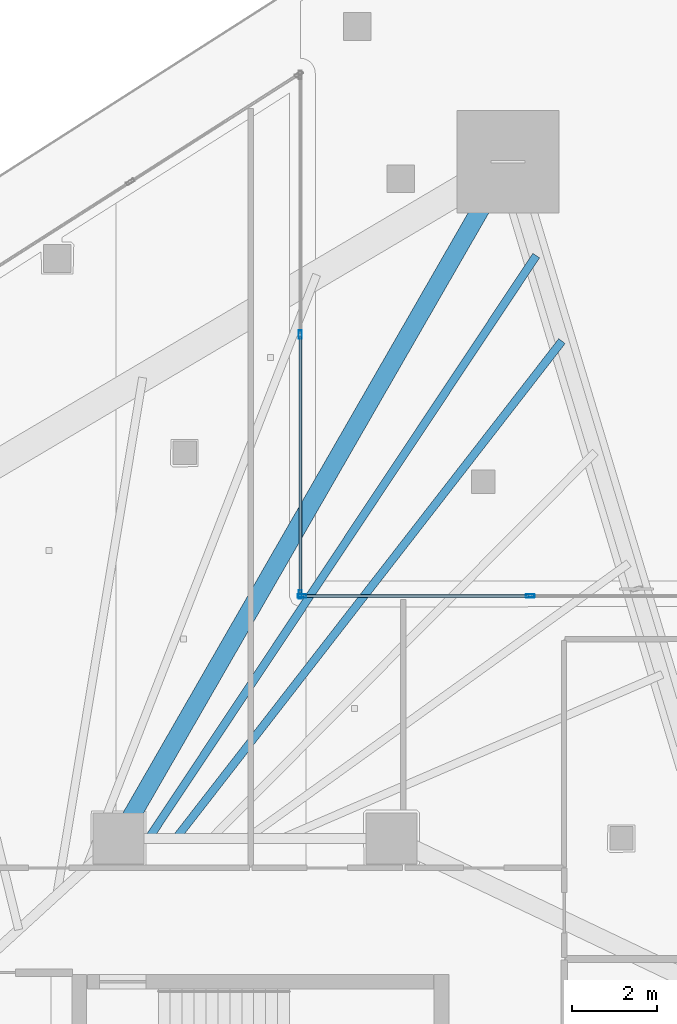
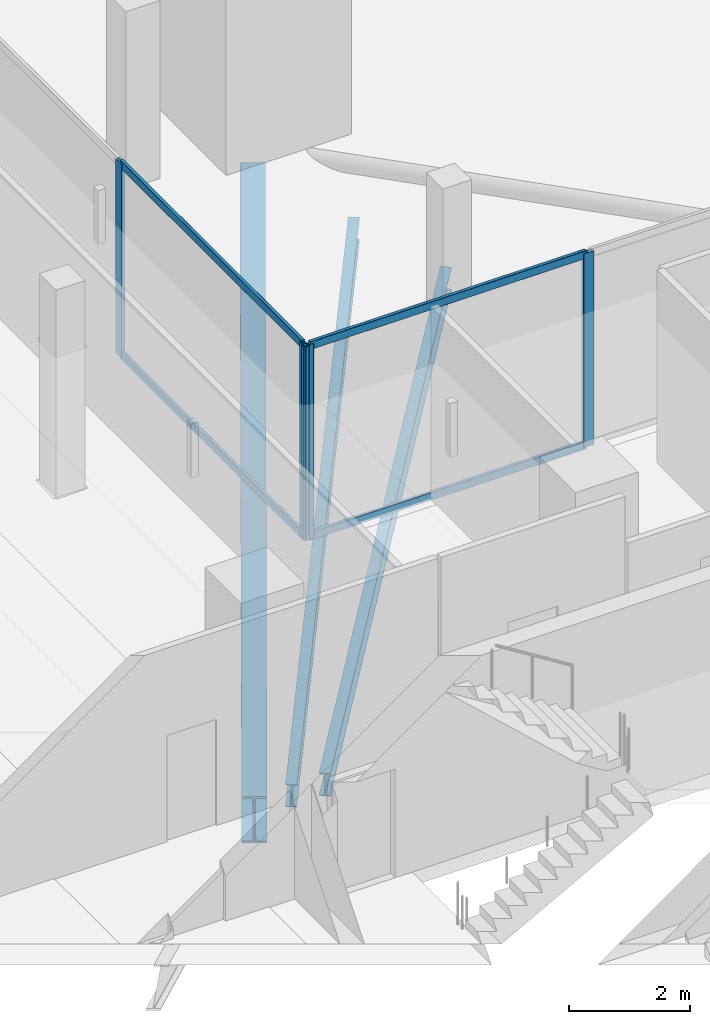
# One storey, part 22 of 47: 8 members, 3 beams, 2 elements without a shape of their own.
"""IFC4 building model written with IfcOpenShell, lengths in metres."""

from ifc_helpers import new_model, si_unit, direction, frame, origin, origin_2d, place, context, subcontext, project, spatial, hollow_rectangle, i_section, extrude, material, layer, layer_set, material_profile, profile_set, type_object, element, aggregate, save


model = new_model("IFC4")

# Units and contexts
model_context = context("Model", 3, precision=1e-05, world=origin(), true_north=direction((0.0, 1.0)))
body_context = subcontext(model_context, "Body", "Model", "MODEL_VIEW")
ifc_project = project(units=[si_unit("LENGTHUNIT", "METRE"), si_unit("AREAUNIT", "SQUARE_METRE"), si_unit("VOLUMEUNIT", "CUBIC_METRE"), si_unit("PLANEANGLEUNIT", "RADIAN"), si_unit("MASSUNIT", "GRAM", prefix="KILO")], contexts=[model_context])

# Site, building, storey
site_placement = place(None, origin())
site = spatial("IfcSite", under=ifc_project, at=site_placement, CompositionType="ELEMENT")
building_placement = place(site_placement, origin())
building = spatial("IfcBuilding", under=site, at=building_placement, Name="Qorvath Tower", CompositionType="ELEMENT")
storey_placement = place(building_placement, frame((0.0, 0.0, 82.800048828125)))
storey = spatial("IfcBuildingStorey", under=building, at=storey_placement, Name="L18", CompositionType="ELEMENT", Elevation=82.800048828125)

# Beams
ifc_material_1 = material(Name="Steel ASTM A992 Grade 50", Category="steel")
ifc_material_profile_1 = material_profile(ifc_material_1, i_section(OverallWidth=0.422119140625, OverallDepth=0.93310546875, WebThickness=0.021240234375, FlangeThickness=0.039794921875, FilletRadius=0.02392578125, at=origin_2d()), Name="W36x262")
ifc_profile_set_1 = profile_set([ifc_material_profile_1], Name="Steel ASTM A992 Grade 50")
beam_type_1 = type_object("IfcBeamType", Name="BM-FG1", PredefinedType="BEAM", material=ifc_profile_set_1)
beam_1_placement = place(storey_placement, frame((-23.60009765625, 11.449951171875, -0.74658203125), z_axis=(0.498645367714, 0.866806089767, 0.0), x_axis=(-0.866806089767, 0.498645367714, 0.0)))
element("IfcBeam", 1, at=beam_1_placement, inside=storey, type_object=beam_type_1, Name="Radial Floor Girder CC1-MC6 L18", PredefinedType="BEAM", context=body_context, shape_type="SweptSolid", body=[
    extrude(i_section(OverallWidth=0.422119140625, OverallDepth=0.93310546875, WebThickness=0.021240234375, FlangeThickness=0.039794921875, FilletRadius=0.02392578125, at=origin_2d()), origin(), (0.0, 0.0, 1.0), 18.321044921875),
])
ifc_material_2 = material(Name="Steel ASTM A992 Grade 50", Category="steel")
ifc_material_profile_2 = material_profile(ifc_material_2, i_section(OverallWidth=0.18994140625, OverallDepth=0.45703125, WebThickness=0.009033203125, FlangeThickness=0.014404296875, FilletRadius=0.011962890625, at=origin_2d()), Name="W18x50")
ifc_profile_set_2 = profile_set([ifc_material_profile_2], Name="Steel ASTM A992 Grade 50")
beam_type_2 = type_object("IfcBeamType", Name="BM-FJ2", PredefinedType="JOIST", material=ifc_profile_set_2)
beam_2_placement = place(storey_placement, frame((-22.256103515625, 11.449951171875, -0.508544921875), z_axis=(0.613206963859, 0.789922286984, 0.0), x_axis=(-0.789922286984, 0.613206963859, 0.0)))
element("IfcBeam", 2, at=beam_2_placement, inside=storey, type_object=beam_type_2, Name="Composite Floor Joist NE6 L18", PredefinedType="JOIST", context=body_context, shape_type="SweptSolid", body=[
    extrude(i_section(OverallWidth=0.18994140625, OverallDepth=0.45703125, WebThickness=0.009033203125, FlangeThickness=0.014404296875, FilletRadius=0.011962890625, at=origin_2d()), origin(), (0.0, 0.0, 1.0), 14.77294921875),
])
beam_3_placement = place(storey_placement, frame((-22.89599609375, 11.449951171875, -0.508544921875), z_axis=(0.553811384989, 0.83264214994, 0.0), x_axis=(-0.83264214994, 0.553811384989, 0.0)))
element("IfcBeam", 3, at=beam_3_placement, inside=storey, type_object=beam_type_2, Name="Composite Floor Joist NE7 L18", PredefinedType="JOIST", context=body_context, shape_type="SweptSolid", body=[
    extrude(i_section(OverallWidth=0.18994140625, OverallDepth=0.45703125, WebThickness=0.009033203125, FlangeThickness=0.014404296875, FilletRadius=0.011962890625, at=origin_2d()), origin(), (0.0, 0.0, 1.0), 16.42333984375),
])

# Curtain wall, members
ifc_material_3 = material(Name="Anodised aluminium and triple low-E glass", Category="aluminium")
ifc_layer = layer(ifc_material_3, 0.179931640625)
ifc_layer_set = layer_set([ifc_layer], Name="CW-SYS-5")
curtain_wall_type = type_object("IfcCurtainWallType", Name="CW-SYS-5", PredefinedType="NOTDEFINED", material=ifc_layer_set)
curtain_wall_1_placement = place(storey_placement, origin())
curtain_wall_1 = element("IfcCurtainWall", 4, at=curtain_wall_1_placement, inside=storey, type_object=curtain_wall_type, Name="Curtain Wall CW-5 CW-T-L18-2.1", PredefinedType="NOTDEFINED")
ifc_material_4 = material(Name="Anodised aluminium 6063-T6", Category="aluminium")
ifc_material_profile_3 = material_profile(ifc_material_4, hollow_rectangle(XDim=0.074951171875, YDim=0.199951171875, WallThickness=0.00390625, InnerFilletRadius=0.00390625, OuterFilletRadius=0.008056640625, at=origin_2d()), Name="CWM 200x75")
ifc_profile_set_3 = profile_set([ifc_material_profile_3], Name="Anodised aluminium 6063-T6")
member_type_1 = type_object("IfcMemberType", Name="CWM-200", PredefinedType="MULLION", material=ifc_profile_set_3)
member_1_placement = place(storey_placement, frame((-13.94140625, 17.135986328125, 0.0), z_axis=(0.0, 0.0, 1.0), x_axis=(0.0, -1.0, 0.0)))
member_1 = element("IfcMember", 5, at=member_1_placement, type_object=member_type_1, Name="CW-5 mullion 3", PredefinedType="MULLION", context=body_context, shape_type="SweptSolid", body=[
    extrude(hollow_rectangle(XDim=0.074951171875, YDim=0.199951171875, WallThickness=0.00390625, InnerFilletRadius=0.00390625, OuterFilletRadius=0.008056640625, at=origin_2d()), origin(), (0.0, 0.0, 1.0), 3.919921875),
])
member_2_placement = place(storey_placement, frame((-19.29833984375, 17.135986328125, 0.0), z_axis=(0.0, 0.0, 1.0), x_axis=(0.0, -1.0, 0.0)))
member_2 = element("IfcMember", 6, at=member_2_placement, type_object=member_type_1, Name="CW-5 mullion 4", PredefinedType="MULLION", context=body_context, shape_type="SweptSolid", body=[
    extrude(hollow_rectangle(XDim=0.074951171875, YDim=0.199951171875, WallThickness=0.00390625, InnerFilletRadius=0.00390625, OuterFilletRadius=0.008056640625, at=origin_2d()), origin(), (0.0, 0.0, 1.0), 3.919921875),
])

curtain_wall_2_placement = place(storey_placement, origin())
curtain_wall_2 = element("IfcCurtainWall", 7, at=curtain_wall_2_placement, inside=storey, type_object=curtain_wall_type, Name="Curtain Wall CW-5 CW-T-L18-3.1", PredefinedType="NOTDEFINED")
member_3_placement = place(storey_placement, frame((-19.3359375, 17.173583984375, 0.0), z_axis=(0.0, 0.0, 1.0), x_axis=(-1.0, 0.0, 0.0)))
member_3 = element("IfcMember", 8, at=member_3_placement, type_object=member_type_1, Name="CW-5 mullion 1", PredefinedType="MULLION", context=body_context, shape_type="SweptSolid", body=[
    extrude(hollow_rectangle(XDim=0.074951171875, YDim=0.199951171875, WallThickness=0.00390625, InnerFilletRadius=0.00390625, OuterFilletRadius=0.008056640625, at=origin_2d()), origin(), (0.0, 0.0, 1.0), 3.919921875),
])
member_4_placement = place(storey_placement, frame((-19.3359375, 23.2705078125, 0.0), z_axis=(0.0, 0.0, 1.0), x_axis=(-1.0, 0.0, 0.0)))
member_4 = element("IfcMember", 9, at=member_4_placement, type_object=member_type_1, Name="CW-5 mullion 2", PredefinedType="MULLION", context=body_context, shape_type="SweptSolid", body=[
    extrude(hollow_rectangle(XDim=0.074951171875, YDim=0.199951171875, WallThickness=0.00390625, InnerFilletRadius=0.00390625, OuterFilletRadius=0.008056640625, at=origin_2d()), origin(), (0.0, 0.0, 1.0), 3.919921875),
])

# Member
ifc_material_5 = material(Name="Anodised aluminium 6063-T6", Category="aluminium")
ifc_material_profile_4 = material_profile(ifc_material_5, hollow_rectangle(XDim=0.06494140625, YDim=0.159912109375, WallThickness=0.00341796875, InnerFilletRadius=0.00341796875, OuterFilletRadius=0.007080078125, at=origin_2d()), Name="CWT 160x65")
ifc_profile_set_4 = profile_set([ifc_material_profile_4], Name="Anodised aluminium 6063-T6")
member_type_2 = type_object("IfcMemberType", Name="CWT-160", PredefinedType="USERDEFINED", material=ifc_profile_set_4)
member_5_placement = place(storey_placement, frame((-13.978759765625, 17.135986328125, 0.032470703125), z_axis=(-1.0, 0.0, 0.0), x_axis=(0.0, -1.0, 0.0)))
member_5 = element("IfcMember", 10, at=member_5_placement, type_object=member_type_2, Name="CW-5 transom 3.1", ObjectType="TRANSOM", PredefinedType="USERDEFINED", context=body_context, shape_type="SweptSolid", body=[
    extrude(hollow_rectangle(XDim=0.06494140625, YDim=0.159912109375, WallThickness=0.00341796875, InnerFilletRadius=0.00341796875, OuterFilletRadius=0.007080078125, at=origin_2d()), origin(), (0.0, 0.0, 1.0), 5.2822265625),
])

member_6_placement = place(storey_placement, frame((-13.978759765625, 17.135986328125, 3.887451171875), z_axis=(-1.0, 0.0, 0.0), x_axis=(0.0, -1.0, 0.0)))
member_6 = element("IfcMember", 11, at=member_6_placement, type_object=member_type_2, Name="CW-5 transom 3.2", ObjectType="TRANSOM", PredefinedType="USERDEFINED", context=body_context, shape_type="SweptSolid", body=[
    extrude(hollow_rectangle(XDim=0.06494140625, YDim=0.159912109375, WallThickness=0.00341796875, InnerFilletRadius=0.00341796875, OuterFilletRadius=0.007080078125, at=origin_2d()), origin(), (0.0, 0.0, 1.0), 5.2822265625),
])

aggregate(curtain_wall_1, [member_1, member_2, member_5, member_6])

member_7_placement = place(storey_placement, frame((-19.3359375, 17.2109375, 0.032470703125), z_axis=(0.0, 1.0, 0.0), x_axis=(-1.0, 0.0, 0.0)))
member_7 = element("IfcMember", 12, at=member_7_placement, type_object=member_type_2, Name="CW-5 transom 1.1", ObjectType="TRANSOM", PredefinedType="USERDEFINED", context=body_context, shape_type="SweptSolid", body=[
    extrude(hollow_rectangle(XDim=0.06494140625, YDim=0.159912109375, WallThickness=0.00341796875, InnerFilletRadius=0.00341796875, OuterFilletRadius=0.007080078125, at=origin_2d()), origin(), (0.0, 0.0, 1.0), 6.02197265625),
])

member_8_placement = place(storey_placement, frame((-19.3359375, 17.2109375, 3.887451171875), z_axis=(0.0, 1.0, 0.0), x_axis=(-1.0, 0.0, 0.0)))
member_8 = element("IfcMember", 13, at=member_8_placement, type_object=member_type_2, Name="CW-5 transom 1.2", ObjectType="TRANSOM", PredefinedType="USERDEFINED", context=body_context, shape_type="SweptSolid", body=[
    extrude(hollow_rectangle(XDim=0.06494140625, YDim=0.159912109375, WallThickness=0.00341796875, InnerFilletRadius=0.00341796875, OuterFilletRadius=0.007080078125, at=origin_2d()), origin(), (0.0, 0.0, 1.0), 6.02197265625),
])

aggregate(curtain_wall_2, [member_3, member_4, member_7, member_8])

save(model, "model.ifc")
